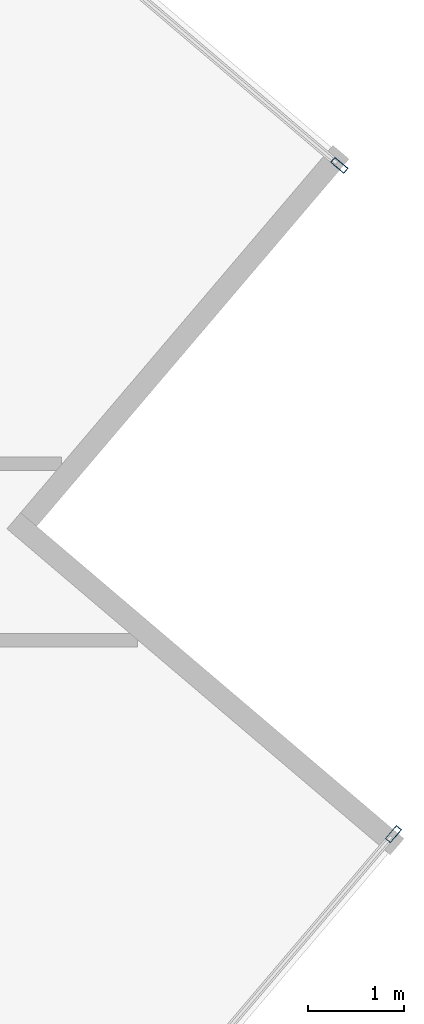
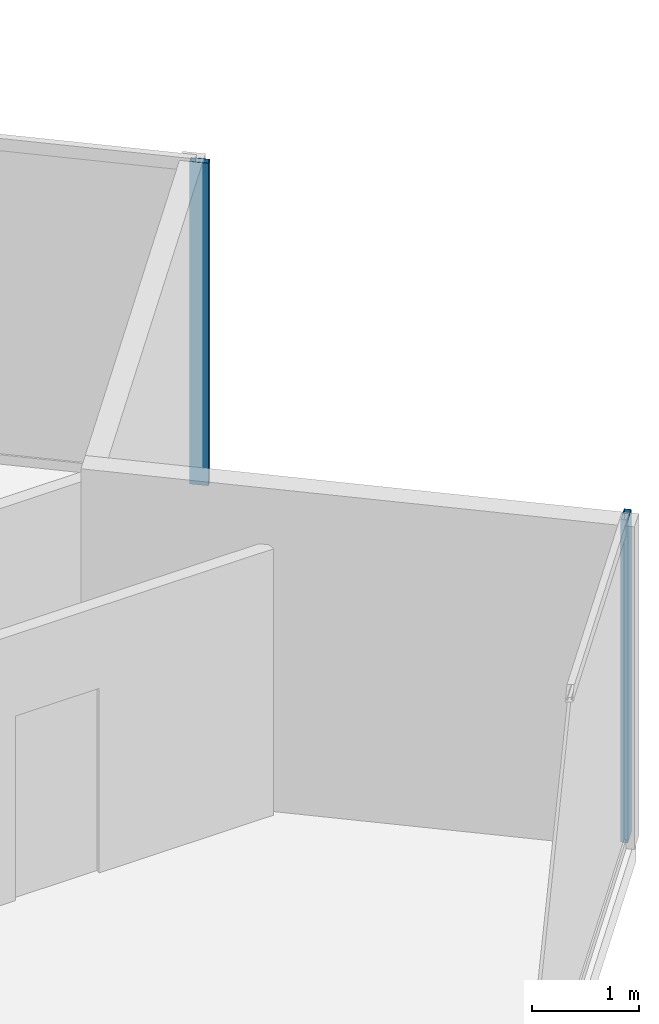
# One storey, part 13 of 25: 2 members, 2 elements without a shape of their own.
"""IFC4 building model written with IfcOpenShell, lengths in metres."""

from ifc_helpers import new_model, si_unit, direction, frame, origin, origin_2d, place, context, subcontext, project, spatial, hollow_rectangle, extrude, source, transform, mapped, material, material_profile, profile_set, type_object, type_shapes, element, aggregate, save


model = new_model("IFC4")

# Units and contexts
model_context = context("Model", 3, precision=1e-05, world=origin(), true_north=direction((0.0, 1.0)))
body_context = subcontext(model_context, "Body", "Model", "MODEL_VIEW")
ifc_project = project(units=[si_unit("LENGTHUNIT", "METRE"), si_unit("AREAUNIT", "SQUARE_METRE"), si_unit("VOLUMEUNIT", "CUBIC_METRE"), si_unit("PLANEANGLEUNIT", "RADIAN"), si_unit("MASSUNIT", "GRAM", prefix="KILO")], contexts=[model_context])

# Site, building, storey
site_placement = place(None, origin())
site = spatial("IfcSite", under=ifc_project, at=site_placement, CompositionType="ELEMENT")
building_placement = place(site_placement, origin())
building = spatial("IfcBuilding", under=site, at=building_placement, Name="Krantzveldt Concourse Tower", CompositionType="ELEMENT")
storey_placement = place(building_placement, frame((0.0, 0.0, 215.199951171875)))
storey = spatial("IfcBuildingStorey", under=building, at=storey_placement, Name="L52", CompositionType="ELEMENT", Elevation=215.199951171875)

# Curtain wall, member
ifc_material = material(Name="Anodised aluminium 6063-T6", Category="aluminium")
curtain_wall_type = type_object("IfcCurtainWallType", Name="CW3", PredefinedType="USERDEFINED", material=ifc_material)
curtain_wall_1_placement = place(storey_placement, origin())
curtain_wall_1 = element("IfcCurtainWall", 1, at=curtain_wall_1_placement, inside=storey, type_object=curtain_wall_type, Name="CW-L52-F07", ObjectType="UNITISED CURTAIN WALL", PredefinedType="USERDEFINED")
ifc_material_profile = material_profile(ifc_material, hollow_rectangle(XDim=0.070068359375, YDim=0.179931640625, WallThickness=0.0048828125, at=origin_2d()), Name="Anodised aluminium 6063-T6", Category="aluminium")
ifc_profile_set = profile_set([ifc_material_profile], Name="Anodised aluminium 6063-T6 - ALU-MULL 180x70x5")
member_type = type_object("IfcMemberType", Name="CW-MUL-180", PredefinedType="MULLION", material=ifc_profile_set)
shared_shape = source(origin(), body_context, "Body", "SweptSolid", [
    extrude(hollow_rectangle(XDim=0.070068359375, YDim=0.179931640625, WallThickness=0.0048828125, at=origin_2d()), origin(), (0.0, 0.0, 1.0), 3.670166015625),
])
type_shapes(member_type, [shared_shape])
member_1_placement = place(storey_placement, frame((61.56689453125, 25.26025390625, 0.0), z_axis=(0.0, 0.0, 1.0), x_axis=(-0.761820912327, 0.647787694805, 0.0)))
member_1 = element("IfcMember", 2, at=member_1_placement, type_object=member_type, Name="CW-Z34 mullion 6", PredefinedType="MULLION", context=body_context, shape_type="MappedRepresentation", body=[
    mapped(shared_shape, transform((0.0, 0.0, 0.0), x_axis=(1.0, 0.0, 0.0), y_axis=(0.0, 1.0, 0.0), z_axis=(0.0, 0.0, 1.0), scale=1.0)),
])
aggregate(curtain_wall_1, [member_1])

curtain_wall_2_placement = place(storey_placement, origin())
curtain_wall_2 = element("IfcCurtainWall", 3, at=curtain_wall_2_placement, inside=storey, type_object=curtain_wall_type, Name="CW-L52-F10", ObjectType="UNITISED CURTAIN WALL", PredefinedType="USERDEFINED")
member_2_placement = place(storey_placement, frame((61.0029296875, 32.230712890625, 0.0), z_axis=(0.0, 0.0, 1.0), x_axis=(-0.647787694805, -0.761820912327, 0.0)))
member_2 = element("IfcMember", 4, at=member_2_placement, type_object=member_type, Name="CW-Z34 mullion 1", PredefinedType="MULLION", context=body_context, shape_type="MappedRepresentation", body=[
    mapped(shared_shape, transform((0.0, 0.0, 0.0), x_axis=(1.0, 0.0, 0.0), y_axis=(0.0, 1.0, 0.0), z_axis=(0.0, 0.0, 1.0), scale=1.0)),
])
aggregate(curtain_wall_2, [member_2])

save(model, "model.ifc")
